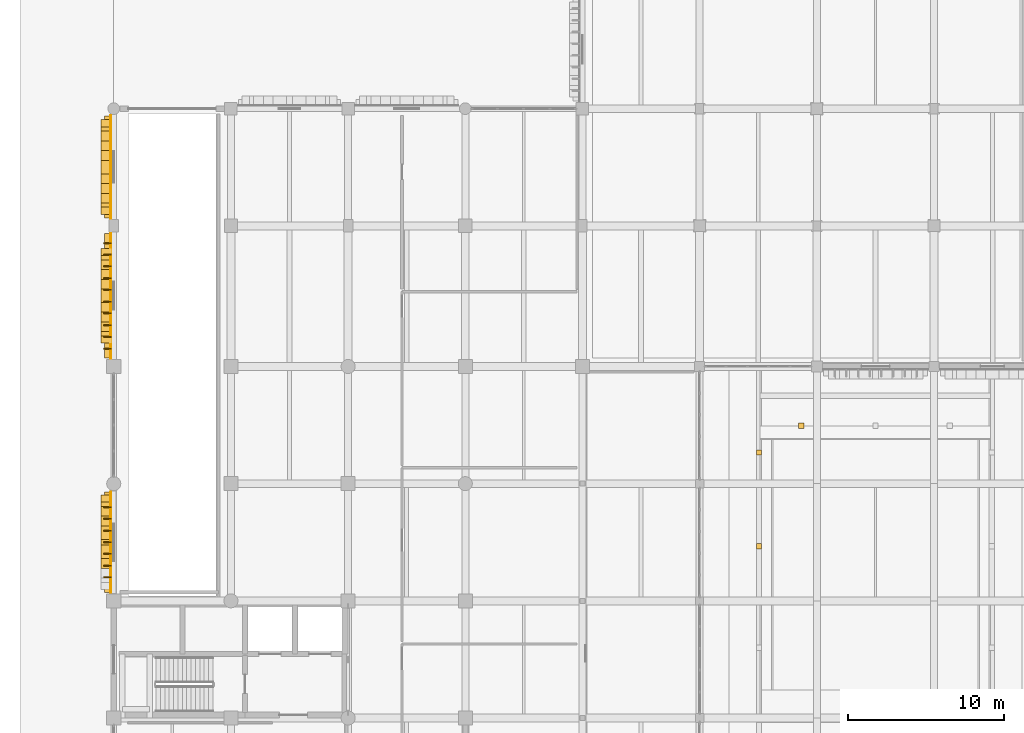
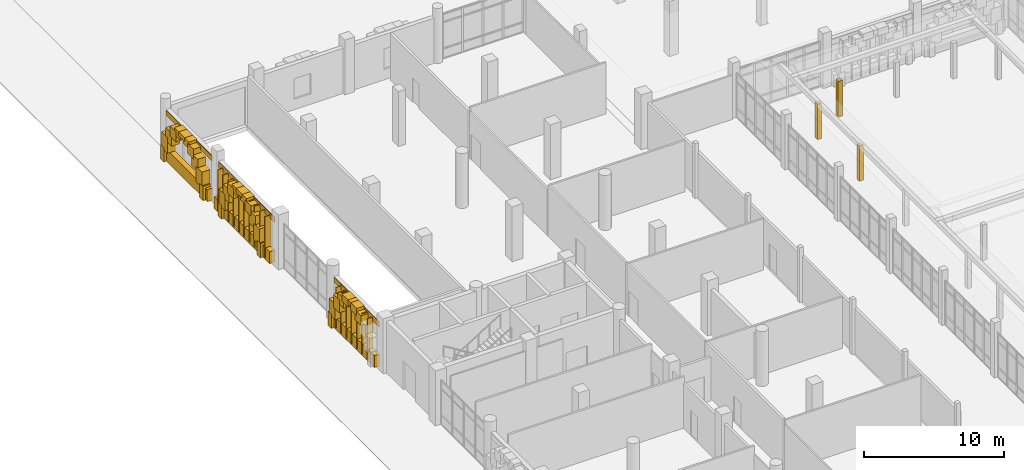
# One storey, part 110 of 125: 39 coverings, 17 shading devices.
"""IFC4 building model written with IfcOpenShell, lengths in metres."""

import ifcopenshell
import ifcopenshell.guid

model = None  # the IFC model being written
_history = None  # IfcOwnerHistory: only IFC2X3 demands one
_inside = {}  # id of a spatial element -> (the spatial element, [elements in it])
_under = {}  # id of a project, library or spatial element -> (it, [spatial elements below it])
_declared = {}  # id of a project -> (the project, [libraries it declares])
_typed = {}  # id of a type object -> (the type object, [elements of that type])
_made_of = {}  # id of a material, layer set ... -> (it, [elements and type objects made of it])


def new_model(schema):
    """Start an empty IFC model of exactly this schema.

    Asked for "IFC4X3", IfcOpenShell would pick the latest addendum, in which some entities
    have other attributes; the version numbers below select the first issue.
    IFC2X3 requires an IfcOwnerHistory on every rooted entity: one is made here for all.
    """
    global model, _history
    if schema == "IFC4X3":
        model = ifcopenshell.file(schema_version=(4, 3, 0, 0))
    else:
        model = ifcopenshell.file(schema=schema)
    _inside.clear()
    _under.clear()
    _declared.clear()
    _typed.clear()
    _made_of.clear()
    _history = None
    if model.schema == "IFC2X3":
        org = make("IfcOrganization", Name="unknown")
        user = make(
            "IfcPersonAndOrganization",
            ThePerson=make("IfcPerson", FamilyName="unknown"),
            TheOrganization=org,
        )
        app = make(
            "IfcApplication",
            ApplicationDeveloper=org,
            Version="unknown",
            ApplicationFullName="unknown",
            ApplicationIdentifier="unknown",
        )
        _history = make(
            "IfcOwnerHistory",
            OwningUser=user,
            OwningApplication=app,
            ChangeAction="ADDED",
            CreationDate=0,
        )
    return model


def make(cls, **values):
    """One entity of the class cls with the attributes given. An attribute that is None is left unset."""
    return model.create_entity(
        cls, **{name: value for name, value in values.items() if value is not None}
    )


def rooted(cls, **values):
    """An entity with a GlobalId (a new one), such as an element, a storey or a relation."""
    return make(cls, GlobalId=ifcopenshell.guid.new(), OwnerHistory=_history, **values)


def si_unit(unit_type, name, prefix=None):
    """IfcSIUnit, for example si_unit("LENGTHUNIT", "METRE", prefix="MILLI")."""
    return make("IfcSIUnit", UnitType=unit_type, Prefix=prefix, Name=name)


def assignment(units):
    """IfcUnitAssignment: the units of a project."""
    return None if units is None else make("IfcUnitAssignment", Units=units)


def point(xyz):
    """IfcCartesianPoint."""
    return None if xyz is None else make("IfcCartesianPoint", Coordinates=xyz)


def direction(xyz):
    """IfcDirection."""
    return None if xyz is None else make("IfcDirection", DirectionRatios=xyz)


def frame(location, z_axis=None, x_axis=None):
    """IfcAxis2Placement3D, a coordinate frame: its origin and axes. An axis left out is left unset."""
    return make(
        "IfcAxis2Placement3D",
        Location=point(location),
        Axis=direction(z_axis),
        RefDirection=direction(x_axis),
    )


def frame_2d(location, x_axis=None):
    """IfcAxis2Placement2D, a coordinate frame in the plane: its origin and x axis."""
    return make(
        "IfcAxis2Placement2D", Location=point(location), RefDirection=direction(x_axis)
    )


def origin():
    """The frame at (0, 0, 0) with its axes left unset."""
    return frame((0.0, 0.0, 0.0))


def origin_2d():
    """The frame at (0, 0) in the plane with its x axis left unset."""
    return frame_2d((0.0, 0.0))


def place(relative_to, where):
    """IfcLocalPlacement: puts the frame where relative to a parent placement (None: the world)."""
    return make(
        "IfcLocalPlacement", PlacementRelTo=relative_to, RelativePlacement=where
    )


def context(
    kind, dimensions, precision=None, world=None, true_north=None, identifier=None
):
    """IfcGeometricRepresentationContext, for example the 3D "Model" context."""
    return make(
        "IfcGeometricRepresentationContext",
        ContextIdentifier=identifier,
        ContextType=kind,
        CoordinateSpaceDimension=dimensions,
        Precision=precision,
        WorldCoordinateSystem=world,
        TrueNorth=true_north,
    )


def subcontext(parent, identifier, kind, view, scale=None):
    """IfcGeometricRepresentationSubContext, for example "Body" below "Model"."""
    return make(
        "IfcGeometricRepresentationSubContext",
        ContextIdentifier=identifier,
        ContextType=kind,
        ParentContext=parent,
        TargetScale=scale,
        TargetView=view,
    )


def project(units=None, contexts=None):
    """IfcProject with its units and contexts."""
    return rooted(
        "IfcProject",
        Name="project",
        RepresentationContexts=contexts,
        UnitsInContext=assignment(units),
    )


def spatial(cls, under=None, at=None, **own):
    """A site, building, storey or space (cls), placed at a placement, below another one or the project."""
    s = rooted(cls, ObjectPlacement=at, **own)
    if under is not None:
        _under.setdefault(under.id(), (under, []))[1].append(s)
    return s


def profile(cls, at=None, kind="AREA", **sizes):
    """A parametric profile (cls). Its sizes go by their IFC names, for example OverallWidth=200.0."""
    return make(cls, ProfileType=kind, Position=at, **sizes)


def rectangle(**sizes):
    """IfcRectangleProfileDef."""
    return profile("IfcRectangleProfileDef", **sizes)


def extrude(swept, where, along, depth):
    """IfcExtrudedAreaSolid: the profile swept, set in the frame where, extruded along a direction by depth."""
    return make(
        "IfcExtrudedAreaSolid",
        SweptArea=swept,
        Position=where,
        ExtrudedDirection=direction(along),
        Depth=depth,
    )


def shape(context_of_items, identifier, shape_type, items):
    """IfcShapeRepresentation: the items that make up one representation, for example the "Body"."""
    return make(
        "IfcShapeRepresentation",
        ContextOfItems=context_of_items,
        RepresentationIdentifier=identifier,
        RepresentationType=shape_type,
        Items=items,
    )


def material(Name=None, Category=None):
    """IfcMaterial."""
    return make("IfcMaterial", Name=Name, Category=Category)


def layer(
    of_material, thickness, ventilated=None, Name=None, Category=None, Priority=None
):
    """IfcMaterialLayer: one layer of a wall or slab, of a material (None: an air gap)."""
    return make(
        "IfcMaterialLayer",
        Material=of_material,
        LayerThickness=thickness,
        IsVentilated=ventilated,
        Name=Name,
        Category=Category,
        Priority=Priority,
    )


def layer_set(layers, Name=None):
    """IfcMaterialLayerSet."""
    return make("IfcMaterialLayerSet", MaterialLayers=layers, LayerSetName=Name)


def made_of(thing, what):
    """Note that an element or type object is made of a material, layer set ...; save() writes the relation."""
    if what is not None:
        _made_of.setdefault(what.id(), (what, []))[1].append(thing)
    return thing


def type_object(cls, material=None, **own):
    """A type object (cls), such as IfcWallType, which elements share."""
    return made_of(rooted(cls, **own), material)


def element(
    cls,
    number,
    at=None,
    inside=None,
    cuts=None,
    type_object=None,
    material=None,
    context=None,
    identifier="Body",
    shape_type=None,
    held_by="IfcProductDefinitionShape",
    body=None,
    shapes=None,
    **own,
):
    """One element of the class cls, such as IfcWall. Its Tag is "e" and its number.

    at: its placement. inside: the storey or other place that contains it. cuts: it is an
    opening in that element (IfcRelVoidsElement). A single representation is given by context,
    identifier, shape_type and body (its items); several are given by shapes. held_by: the class
    of the entity that holds the representations. save() writes the other relations.
    """
    e = rooted(cls, Tag="e%d" % number, ObjectPlacement=at, **own)
    if body is not None:
        shapes = [shape(context, identifier, shape_type, body)]
    if shapes is not None:
        e.Representation = make(held_by, Representations=shapes)
    if inside is not None:
        _inside.setdefault(inside.id(), (inside, []))[1].append(e)
    if cuts is not None:
        rooted(
            "IfcRelVoidsElement", RelatingBuildingElement=cuts, RelatedOpeningElement=e
        )
    if type_object is not None:
        _typed.setdefault(type_object.id(), (type_object, []))[1].append(e)
    return made_of(e, material)


def aggregate(whole, parts):
    """IfcRelAggregates: a whole, such as a stair, and the parts it consists of."""
    return rooted("IfcRelAggregates", RelatingObject=whole, RelatedObjects=parts)


def save(model, path):
    """Write the relations noted so far, then the file.

    IfcRelAggregates (storeys below a building ...), IfcRelContainedInSpatialStructure (elements
    in a storey), IfcRelDefinesByType, IfcRelAssociatesMaterial and IfcRelDeclares: one each for
    every whole, place, type object, material and project.
    """
    for whole, parts in _under.values():
        aggregate(whole, parts)
    for where, things in _inside.values():
        rooted(
            "IfcRelContainedInSpatialStructure",
            RelatedElements=things,
            RelatingStructure=where,
        )
    for kind, things in _typed.values():
        rooted("IfcRelDefinesByType", RelatedObjects=things, RelatingType=kind)
    for what, things in _made_of.values():
        rooted("IfcRelAssociatesMaterial", RelatedObjects=things, RelatingMaterial=what)
    for by, libraries in _declared.values():
        rooted("IfcRelDeclares", RelatingContext=by, RelatedDefinitions=libraries)
    model.write(path)


model = new_model("IFC4")

# Units and contexts
model_context = context("Model", 3, precision=1e-05, world=origin(), true_north=direction((0.0, 1.0)))
body_context = subcontext(model_context, "Body", "Model", "MODEL_VIEW")
ifc_project = project(units=[si_unit("LENGTHUNIT", "METRE"), si_unit("AREAUNIT", "SQUARE_METRE"), si_unit("VOLUMEUNIT", "CUBIC_METRE"), si_unit("PLANEANGLEUNIT", "RADIAN"), si_unit("MASSUNIT", "GRAM", prefix="KILO")], contexts=[model_context])

# Site, building, storey
site_placement = place(None, origin())
site = spatial("IfcSite", under=ifc_project, at=site_placement, CompositionType="ELEMENT")
building_placement = place(site_placement, origin())
building = spatial("IfcBuilding", under=site, at=building_placement, Name="Dalvernix Boulevard General Hospital", CompositionType="ELEMENT")
storey_placement = place(building_placement, origin())
storey = spatial("IfcBuildingStorey", under=building, at=storey_placement, Name="L00", CompositionType="ELEMENT", Elevation=0.0)

# Coverings
ifc_material_1 = material(Name="Pressed Catalan clay brick and dressed limestone parabolic archivolt", Category="masonry")
ifc_layer_1 = layer(ifc_material_1, 0.419921875)
ifc_layer_set_1 = layer_set([ifc_layer_1], Name="Pressed Catalan clay brick and dressed limestone parabolic archivolt (COV-ARC-01)")
covering_type_1 = type_object("IfcCoveringType", Name="COV-ARC-01", PredefinedType="CLADDING", material=ifc_layer_set_1)
covering_1_placement = place(storey_placement, frame((-0.485107421875, 68.050048828125, 0.0), z_axis=(0.0, 0.0, 1.0), x_axis=(0.0, 1.0, 0.0)))
element("IfcCovering", 1, at=covering_1_placement, inside=storey, type_object=covering_type_1, Name="L00 Catalan parabolic arch impost pier W 0-8-R", PredefinedType="CLADDING", context=body_context, shape_type="SweptSolid", body=[
    extrude(rectangle(XDim=0.4599609375, YDim=0.659912109375, at=origin_2d()), origin(), (0.0, 0.0, 1.0), 1.25),
])
covering_2_placement = place(storey_placement, frame((-0.485107421875, 64.005615234375, 2.80908203125), z_axis=(0.0, 0.0, 1.0), x_axis=(0.0, 1.0, 0.0)))
element("IfcCovering", 2, at=covering_2_placement, inside=storey, type_object=covering_type_1, Name="L00 Catalan parabolic archivolt voussoir W 0-8-3", PredefinedType="CLADDING", context=body_context, shape_type="SweptSolid", body=[
    extrude(rectangle(XDim=0.8623046875, YDim=0.659912109375, at=origin_2d()), origin(), (0.0, 0.0, 1.0), 0.8798828125),
])
covering_3_placement = place(storey_placement, frame((-0.485107421875, 64.627685546875, 3.308837890625), z_axis=(0.0, 0.0, 1.0), x_axis=(0.0, 1.0, 0.0)))
element("IfcCovering", 3, at=covering_3_placement, inside=storey, type_object=covering_type_1, Name="L00 Catalan parabolic archivolt voussoir W 0-8-4", PredefinedType="CLADDING", context=body_context, shape_type="SweptSolid", body=[
    extrude(rectangle(XDim=0.8623046875, YDim=0.659912109375, at=origin_2d()), origin(), (0.0, 0.0, 1.0), 0.6298828125),
])
covering_4_placement = place(storey_placement, frame((-0.485107421875, 65.25, 3.558837890625), z_axis=(0.0, 0.0, 1.0), x_axis=(0.0, 1.0, 0.0)))
element("IfcCovering", 4, at=covering_4_placement, inside=storey, type_object=covering_type_1, Name="L00 Catalan parabolic archivolt voussoir W 0-8-5", PredefinedType="CLADDING", context=body_context, shape_type="SweptSolid", body=[
    extrude(rectangle(XDim=0.8623046875, YDim=0.659912109375, at=origin_2d()), origin(), (0.0, 0.0, 1.0), 0.3798828125),
])
covering_5_placement = place(storey_placement, frame((-0.485107421875, 65.872314453125, 3.308837890625), z_axis=(0.0, 0.0, 1.0), x_axis=(0.0, 1.0, 0.0)))
element("IfcCovering", 5, at=covering_5_placement, inside=storey, type_object=covering_type_1, Name="L00 Catalan parabolic archivolt voussoir W 0-8-6", PredefinedType="CLADDING", context=body_context, shape_type="SweptSolid", body=[
    extrude(rectangle(XDim=0.8623046875, YDim=0.659912109375, at=origin_2d()), origin(), (0.0, 0.0, 1.0), 0.6298828125),
])
covering_6_placement = place(storey_placement, frame((-0.485107421875, 66.494384765625, 2.80908203125), z_axis=(0.0, 0.0, 1.0), x_axis=(0.0, 1.0, 0.0)))
element("IfcCovering", 6, at=covering_6_placement, inside=storey, type_object=covering_type_1, Name="L00 Catalan parabolic archivolt voussoir W 0-8-7", PredefinedType="CLADDING", context=body_context, shape_type="SweptSolid", body=[
    extrude(rectangle(XDim=0.8623046875, YDim=0.659912109375, at=origin_2d()), origin(), (0.0, 0.0, 1.0), 0.8798828125),
])
covering_7_placement = place(storey_placement, frame((-0.485107421875, 67.11669921875, 2.0595703125), z_axis=(0.0, 0.0, 1.0), x_axis=(0.0, 1.0, 0.0)))
element("IfcCovering", 7, at=covering_7_placement, inside=storey, type_object=covering_type_1, Name="L00 Catalan parabolic archivolt voussoir W 0-8-8", PredefinedType="CLADDING", context=body_context, shape_type="SweptSolid", body=[
    extrude(rectangle(XDim=0.8623046875, YDim=0.659912109375, at=origin_2d()), origin(), (0.0, 0.0, 1.0), 1.129638671875),
])
covering_8_placement = place(storey_placement, frame((-0.485107421875, 67.739013671875, 1.06005859375), z_axis=(0.0, 0.0, 1.0), x_axis=(0.0, 1.0, 0.0)))
element("IfcCovering", 8, at=covering_8_placement, inside=storey, type_object=covering_type_1, Name="L00 Catalan parabolic archivolt voussoir W 0-8-9", PredefinedType="CLADDING", context=body_context, shape_type="SweptSolid", body=[
    extrude(rectangle(XDim=0.8623046875, YDim=0.659912109375, at=origin_2d()), origin(), (0.0, 0.0, 1.0), 1.37939453125),
])
for number, where, z_axis, x_axis, name in (
    (9, (-0.485107421875, 78.22509765625, 0.0), (0.0, 0.0, 1.0), (0.0, 1.0, 0.0), "L00 Catalan parabolic arch impost pier W 0-10-L"),
    (10, (-0.485107421875, 83.824951171875, 0.0), (0.0, 0.0, 1.0), (0.0, 1.0, 0.0), "L00 Catalan parabolic arch impost pier W 0-10-R"),
):
    element("IfcCovering", number, at=place(storey_placement, frame(where, z_axis=z_axis, x_axis=x_axis)), inside=storey, type_object=covering_type_1, Name=name, PredefinedType="CLADDING", context=body_context, shape_type="SweptSolid", body=[
        extrude(rectangle(XDim=0.4599609375, YDim=0.659912109375, at=origin_2d()), origin(), (0.0, 0.0, 1.0), 1.25),
    ])
covering_9_placement = place(storey_placement, frame((-0.485107421875, 78.5361328125, 1.059814453125), z_axis=(0.0, 0.0, 1.0), x_axis=(0.0, 1.0, 0.0)))
element("IfcCovering", 11, at=covering_9_placement, inside=storey, type_object=covering_type_1, Name="L00 Catalan parabolic archivolt voussoir W 0-10-1", PredefinedType="CLADDING", context=body_context, shape_type="SweptSolid", body=[
    extrude(rectangle(XDim=0.8623046875, YDim=0.659912109375, at=origin_2d()), origin(), (0.0, 0.0, 1.0), 1.3994140625),
])
covering_10_placement = place(storey_placement, frame((-0.485107421875, 79.158203125, 2.07958984375), z_axis=(0.0, 0.0, 1.0), x_axis=(0.0, 1.0, 0.0)))
element("IfcCovering", 12, at=covering_10_placement, inside=storey, type_object=covering_type_1, Name="L00 Catalan parabolic archivolt voussoir W 0-10-2", PredefinedType="CLADDING", context=body_context, shape_type="SweptSolid", body=[
    extrude(rectangle(XDim=0.8623046875, YDim=0.659912109375, at=origin_2d()), origin(), (0.0, 0.0, 1.0), 1.144287109375),
])
covering_11_placement = place(storey_placement, frame((-0.485107421875, 79.780517578125, 2.84375), z_axis=(0.0, 0.0, 1.0), x_axis=(0.0, 1.0, 0.0)))
element("IfcCovering", 13, at=covering_11_placement, inside=storey, type_object=covering_type_1, Name="L00 Catalan parabolic archivolt voussoir W 0-10-3", PredefinedType="CLADDING", context=body_context, shape_type="SweptSolid", body=[
    extrude(rectangle(XDim=0.8623046875, YDim=0.659912109375, at=origin_2d()), origin(), (0.0, 0.0, 1.0), 0.8896484375),
])
covering_12_placement = place(storey_placement, frame((-0.485107421875, 80.40283203125, 3.353271484375), z_axis=(0.0, 0.0, 1.0), x_axis=(0.0, 1.0, 0.0)))
element("IfcCovering", 14, at=covering_12_placement, inside=storey, type_object=covering_type_1, Name="L00 Catalan parabolic archivolt voussoir W 0-10-4", PredefinedType="CLADDING", context=body_context, shape_type="SweptSolid", body=[
    extrude(rectangle(XDim=0.8623046875, YDim=0.659912109375, at=origin_2d()), origin(), (0.0, 0.0, 1.0), 0.634765625),
])
covering_13_placement = place(storey_placement, frame((-0.485107421875, 81.02490234375, 3.608154296875), z_axis=(0.0, 0.0, 1.0), x_axis=(0.0, 1.0, 0.0)))
element("IfcCovering", 15, at=covering_13_placement, inside=storey, type_object=covering_type_1, Name="L00 Catalan parabolic archivolt voussoir W 0-10-5", PredefinedType="CLADDING", context=body_context, shape_type="SweptSolid", body=[
    extrude(rectangle(XDim=0.8623046875, YDim=0.659912109375, at=origin_2d()), origin(), (0.0, 0.0, 1.0), 0.3798828125),
])
covering_14_placement = place(storey_placement, frame((-0.485107421875, 81.647216796875, 3.353271484375), z_axis=(0.0, 0.0, 1.0), x_axis=(0.0, 1.0, 0.0)))
element("IfcCovering", 16, at=covering_14_placement, inside=storey, type_object=covering_type_1, Name="L00 Catalan parabolic archivolt voussoir W 0-10-6", PredefinedType="CLADDING", context=body_context, shape_type="SweptSolid", body=[
    extrude(rectangle(XDim=0.8623046875, YDim=0.659912109375, at=origin_2d()), origin(), (0.0, 0.0, 1.0), 0.634765625),
])
covering_15_placement = place(storey_placement, frame((-0.485107421875, 82.269287109375, 2.84375), z_axis=(0.0, 0.0, 1.0), x_axis=(0.0, 1.0, 0.0)))
element("IfcCovering", 17, at=covering_15_placement, inside=storey, type_object=covering_type_1, Name="L00 Catalan parabolic archivolt voussoir W 0-10-7", PredefinedType="CLADDING", context=body_context, shape_type="SweptSolid", body=[
    extrude(rectangle(XDim=0.8623046875, YDim=0.659912109375, at=origin_2d()), origin(), (0.0, 0.0, 1.0), 0.8896484375),
])
covering_16_placement = place(storey_placement, frame((-0.485107421875, 82.8916015625, 2.07958984375), z_axis=(0.0, 0.0, 1.0), x_axis=(0.0, 1.0, 0.0)))
element("IfcCovering", 18, at=covering_16_placement, inside=storey, type_object=covering_type_1, Name="L00 Catalan parabolic archivolt voussoir W 0-10-8", PredefinedType="CLADDING", context=body_context, shape_type="SweptSolid", body=[
    extrude(rectangle(XDim=0.8623046875, YDim=0.659912109375, at=origin_2d()), origin(), (0.0, 0.0, 1.0), 1.144287109375),
])
covering_17_placement = place(storey_placement, frame((-0.485107421875, 83.513916015625, 1.059814453125), z_axis=(0.0, 0.0, 1.0), x_axis=(0.0, 1.0, 0.0)))
element("IfcCovering", 19, at=covering_17_placement, inside=storey, type_object=covering_type_1, Name="L00 Catalan parabolic archivolt voussoir W 0-10-9", PredefinedType="CLADDING", context=body_context, shape_type="SweptSolid", body=[
    extrude(rectangle(XDim=0.8623046875, YDim=0.659912109375, at=origin_2d()), origin(), (0.0, 0.0, 1.0), 1.3994140625),
])
for number, where, z_axis, x_axis, name in (
    (20, (-0.485107421875, 86.46240234375, 0.0), (0.0, 0.0, 1.0), (0.0, 1.0, 0.0), "L00 Catalan parabolic arch impost pier W 0-11-L"),
    (21, (-0.485107421875, 92.0625, 0.0), (0.0, 0.0, 1.0), (0.0, 1.0, 0.0), "L00 Catalan parabolic arch impost pier W 0-11-R"),
):
    element("IfcCovering", number, at=place(storey_placement, frame(where, z_axis=z_axis, x_axis=x_axis)), inside=storey, type_object=covering_type_1, Name=name, PredefinedType="CLADDING", context=body_context, shape_type="SweptSolid", body=[
        extrude(rectangle(XDim=0.4599609375, YDim=0.659912109375, at=origin_2d()), origin(), (0.0, 0.0, 1.0), 1.25),
    ])
covering_18_placement = place(storey_placement, frame((-0.485107421875, 86.773681640625, 1.06005859375), z_axis=(0.0, 0.0, 1.0), x_axis=(0.0, 1.0, 0.0)))
element("IfcCovering", 22, at=covering_18_placement, inside=storey, type_object=covering_type_1, Name="L00 Catalan parabolic archivolt voussoir W 0-11-1", PredefinedType="CLADDING", context=body_context, shape_type="SweptSolid", body=[
    extrude(rectangle(XDim=0.8623046875, YDim=0.659912109375, at=origin_2d()), origin(), (0.0, 0.0, 1.0), 1.37939453125),
])
covering_19_placement = place(storey_placement, frame((-0.485107421875, 87.395751953125, 2.0595703125), z_axis=(0.0, 0.0, 1.0), x_axis=(0.0, 1.0, 0.0)))
element("IfcCovering", 23, at=covering_19_placement, inside=storey, type_object=covering_type_1, Name="L00 Catalan parabolic archivolt voussoir W 0-11-2", PredefinedType="CLADDING", context=body_context, shape_type="SweptSolid", body=[
    extrude(rectangle(XDim=0.8623046875, YDim=0.659912109375, at=origin_2d()), origin(), (0.0, 0.0, 1.0), 1.129638671875),
])
covering_20_placement = place(storey_placement, frame((-0.485107421875, 88.01806640625, 2.80908203125), z_axis=(0.0, 0.0, 1.0), x_axis=(0.0, 1.0, 0.0)))
element("IfcCovering", 24, at=covering_20_placement, inside=storey, type_object=covering_type_1, Name="L00 Catalan parabolic archivolt voussoir W 0-11-3", PredefinedType="CLADDING", context=body_context, shape_type="SweptSolid", body=[
    extrude(rectangle(XDim=0.8623046875, YDim=0.659912109375, at=origin_2d()), origin(), (0.0, 0.0, 1.0), 0.8798828125),
])
covering_21_placement = place(storey_placement, frame((-0.485107421875, 88.640380859375, 3.308837890625), z_axis=(0.0, 0.0, 1.0), x_axis=(0.0, 1.0, 0.0)))
element("IfcCovering", 25, at=covering_21_placement, inside=storey, type_object=covering_type_1, Name="L00 Catalan parabolic archivolt voussoir W 0-11-4", PredefinedType="CLADDING", context=body_context, shape_type="SweptSolid", body=[
    extrude(rectangle(XDim=0.8623046875, YDim=0.659912109375, at=origin_2d()), origin(), (0.0, 0.0, 1.0), 0.6298828125),
])
covering_22_placement = place(storey_placement, frame((-0.485107421875, 89.262451171875, 3.558837890625), z_axis=(0.0, 0.0, 1.0), x_axis=(0.0, 1.0, 0.0)))
element("IfcCovering", 26, at=covering_22_placement, inside=storey, type_object=covering_type_1, Name="L00 Catalan parabolic archivolt voussoir W 0-11-5", PredefinedType="CLADDING", context=body_context, shape_type="SweptSolid", body=[
    extrude(rectangle(XDim=0.8623046875, YDim=0.659912109375, at=origin_2d()), origin(), (0.0, 0.0, 1.0), 0.3798828125),
])
covering_23_placement = place(storey_placement, frame((-0.485107421875, 89.884765625, 3.308837890625), z_axis=(0.0, 0.0, 1.0), x_axis=(0.0, 1.0, 0.0)))
element("IfcCovering", 27, at=covering_23_placement, inside=storey, type_object=covering_type_1, Name="L00 Catalan parabolic archivolt voussoir W 0-11-6", PredefinedType="CLADDING", context=body_context, shape_type="SweptSolid", body=[
    extrude(rectangle(XDim=0.8623046875, YDim=0.659912109375, at=origin_2d()), origin(), (0.0, 0.0, 1.0), 0.6298828125),
])
covering_24_placement = place(storey_placement, frame((-0.485107421875, 90.5068359375, 2.80908203125), z_axis=(0.0, 0.0, 1.0), x_axis=(0.0, 1.0, 0.0)))
element("IfcCovering", 28, at=covering_24_placement, inside=storey, type_object=covering_type_1, Name="L00 Catalan parabolic archivolt voussoir W 0-11-7", PredefinedType="CLADDING", context=body_context, shape_type="SweptSolid", body=[
    extrude(rectangle(XDim=0.8623046875, YDim=0.659912109375, at=origin_2d()), origin(), (0.0, 0.0, 1.0), 0.8798828125),
])
covering_25_placement = place(storey_placement, frame((-0.485107421875, 91.129150390625, 2.0595703125), z_axis=(0.0, 0.0, 1.0), x_axis=(0.0, 1.0, 0.0)))
element("IfcCovering", 29, at=covering_25_placement, inside=storey, type_object=covering_type_1, Name="L00 Catalan parabolic archivolt voussoir W 0-11-8", PredefinedType="CLADDING", context=body_context, shape_type="SweptSolid", body=[
    extrude(rectangle(XDim=0.8623046875, YDim=0.659912109375, at=origin_2d()), origin(), (0.0, 0.0, 1.0), 1.129638671875),
])
covering_26_placement = place(storey_placement, frame((-0.485107421875, 91.75146484375, 1.06005859375), z_axis=(0.0, 0.0, 1.0), x_axis=(0.0, 1.0, 0.0)))
element("IfcCovering", 30, at=covering_26_placement, inside=storey, type_object=covering_type_1, Name="L00 Catalan parabolic archivolt voussoir W 0-11-9", PredefinedType="CLADDING", context=body_context, shape_type="SweptSolid", body=[
    extrude(rectangle(XDim=0.8623046875, YDim=0.659912109375, at=origin_2d()), origin(), (0.0, 0.0, 1.0), 1.37939453125),
])
ifc_material_2 = material(Name="Polychrome Catalan glazed ceramic spandrel tile panel")
ifc_layer_2 = layer(ifc_material_2, 0.044921875)
ifc_layer_set_2 = layer_set([ifc_layer_2], Name="Polychrome Catalan glazed ceramic spandrel tile panel (COV-CLD-01)")
covering_type_2 = type_object("IfcCoveringType", Name="COV-CLD-01", PredefinedType="CLADDING", material=ifc_layer_set_2)
covering_27_placement = place(storey_placement, frame((-0.195068359375, 65.25, 3.4248046875), z_axis=(0.0, 0.0, 1.0), x_axis=(0.0, 1.0, 0.0)))
element("IfcCovering", 31, at=covering_27_placement, inside=storey, type_object=covering_type_2, Name="L00 polychrome ceramic spandrel W 0-8", PredefinedType="CLADDING", context=body_context, shape_type="SweptSolid", body=[
    extrude(rectangle(XDim=6.47998046875, YDim=0.044921875, at=origin_2d()), origin(), (0.0, 0.0, 1.0), 0.449951171875),
])
covering_28_placement = place(storey_placement, frame((-0.195068359375, 81.02490234375, 3.47509765625), z_axis=(0.0, 0.0, 1.0), x_axis=(0.0, 1.0, 0.0)))
element("IfcCovering", 32, at=covering_28_placement, inside=storey, type_object=covering_type_2, Name="L00 polychrome ceramic spandrel W 0-10", PredefinedType="CLADDING", context=body_context, shape_type="SweptSolid", body=[
    extrude(rectangle(XDim=8.030029296875, YDim=0.044921875, at=origin_2d()), origin(), (0.0, 0.0, 1.0), 0.449951171875),
])
covering_29_placement = place(storey_placement, frame((-0.195068359375, 89.262451171875, 3.4248046875), z_axis=(0.0, 0.0, 1.0), x_axis=(0.0, 1.0, 0.0)))
element("IfcCovering", 33, at=covering_29_placement, inside=storey, type_object=covering_type_2, Name="L00 polychrome ceramic spandrel W 0-11", PredefinedType="CLADDING", context=body_context, shape_type="SweptSolid", body=[
    extrude(rectangle(XDim=6.60498046875, YDim=0.044921875, at=origin_2d()), origin(), (0.0, 0.0, 1.0), 0.449951171875),
])
ifc_material_3 = material(Name="Dressed ochre limestone classical plinth, stringcourse and corbelled cornice", Category="masonry")
ifc_layer_3 = layer(ifc_material_3, 0.449951171875)
ifc_layer_set_3 = layer_set([ifc_layer_3], Name="Dressed ochre limestone classical plinth, stringcourse and corbelled cornice (COV-CRN-01)")
covering_type_3 = type_object("IfcCoveringType", Name="COV-CRN-01", PredefinedType="CLADDING", material=ifc_layer_set_3)
covering_30_placement = place(storey_placement, frame((-0.375, 65.25, 0.0), z_axis=(0.0, 0.0, 1.0), x_axis=(0.0, 1.0, 0.0)))
element("IfcCovering", 34, at=covering_30_placement, inside=storey, type_object=covering_type_3, Name="L00 rusticated limestone classical plinth W 0-8", PredefinedType="CLADDING", context=body_context, shape_type="SweptSolid", body=[
    extrude(rectangle(XDim=6.419921875, YDim=0.43994140625, at=origin_2d()), origin(), (0.0, 0.0, 1.0), 1.0400390625),
])
covering_31_placement = place(storey_placement, frame((-0.375, 81.02490234375, 0.0), z_axis=(0.0, 0.0, 1.0), x_axis=(0.0, 1.0, 0.0)))
element("IfcCovering", 35, at=covering_31_placement, inside=storey, type_object=covering_type_3, Name="L00 rusticated limestone classical plinth W 0-10", PredefinedType="CLADDING", context=body_context, shape_type="SweptSolid", body=[
    extrude(rectangle(XDim=7.969970703125, YDim=0.43994140625, at=origin_2d()), origin(), (0.0, 0.0, 1.0), 1.0400390625),
])
covering_32_placement = place(storey_placement, frame((-0.375, 89.262451171875, 0.0), z_axis=(0.0, 0.0, 1.0), x_axis=(0.0, 1.0, 0.0)))
element("IfcCovering", 36, at=covering_32_placement, inside=storey, type_object=covering_type_3, Name="L00 rusticated limestone classical plinth W 0-11", PredefinedType="CLADDING", context=body_context, shape_type="SweptSolid", body=[
    extrude(rectangle(XDim=6.544921875, YDim=0.43994140625, at=origin_2d()), origin(), (0.0, 0.0, 1.0), 1.0400390625),
])
ifc_material_4 = material(Name="Preservative-treated glulam GL28h cloister walkway post, beam and roof", Category="wood")
ifc_layer_4 = layer(ifc_material_4, 0.340087890625)
ifc_layer_set_4 = layer_set([ifc_layer_4], Name="Preservative-treated glulam GL28h cloister walkway post, beam and roof (COV-WKP-01)")
covering_type_4 = type_object("IfcCoveringType", Name="COV-WKP-01", PredefinedType="CLADDING", material=ifc_layer_set_4)
for number, where, z_axis, x_axis, name in (
    (37, (41.300048828125, 65.0, 0.0), (0.0, 0.0, 1.0), (1.0, 0.0, 0.0), "WCOURT covered timber walkway post W-5"),
    (38, (41.300048828125, 71.0, 0.0), (0.0, 0.0, 1.0), (1.0, 0.0, 0.0), "WCOURT covered timber walkway post W-6"),
    (39, (44.0, 72.699951171875, 0.0), (0.0, 0.0, 1.0), (1.0, 0.0, 0.0), "WCOURT covered timber walkway post N-1"),
):
    element("IfcCovering", number, at=place(storey_placement, frame(where, z_axis=z_axis, x_axis=x_axis)), inside=storey, type_object=covering_type_4, Name=name, PredefinedType="CLADDING", context=body_context, shape_type="SweptSolid", body=[
        extrude(rectangle(XDim=0.340087890625, YDim=0.340087890625, at=origin_2d()), origin(), (0.0, 0.0, 1.0), 3.10009765625),
    ])

# Shading devices
ifc_material_5 = material(Name="Preservative-treated West African iroko timber", Category="wood")
shading_device_type = type_object("IfcShadingDeviceType", Name="SHD-FIN-01", PredefinedType="USERDEFINED", material=ifc_material_5)
for number, where, z_axis, x_axis, name in (
    (40, (-0.405029296875, 63.0, 0.1748046875), (0.0, 0.0, 1.0), (0.0, 1.0, 0.0), "L00 iroko brise-soleil fin 1"),
    (41, (-0.405029296875, 63.75, 0.1748046875), (0.0, 0.0, 1.0), (0.0, 1.0, 0.0), "L00 iroko brise-soleil fin 2"),
    (42, (-0.405029296875, 64.5, 0.1748046875), (0.0, 0.0, 1.0), (0.0, 1.0, 0.0), "L00 iroko brise-soleil fin 3"),
    (43, (-0.405029296875, 65.25, 0.1748046875), (0.0, 0.0, 1.0), (0.0, 1.0, 0.0), "L00 iroko brise-soleil fin 4"),
    (44, (-0.405029296875, 66.0, 0.1748046875), (0.0, 0.0, 1.0), (0.0, 1.0, 0.0), "L00 iroko brise-soleil fin 5"),
    (45, (-0.405029296875, 66.75, 0.1748046875), (0.0, 0.0, 1.0), (0.0, 1.0, 0.0), "L00 iroko brise-soleil fin 6"),
    (46, (-0.405029296875, 67.5, 0.1748046875), (0.0, 0.0, 1.0), (0.0, 1.0, 0.0), "L00 iroko brise-soleil fin 7"),
):
    element("IfcShadingDevice", number, at=place(storey_placement, frame(where, z_axis=z_axis, x_axis=x_axis)), inside=storey, type_object=shading_device_type, Name=name, ObjectType="FIN", PredefinedType="USERDEFINED", context=body_context, shape_type="SweptSolid", body=[
        extrude(rectangle(XDim=0.06494140625, YDim=0.47998046875, at=origin_2d()), origin(), (0.0, 0.0, 1.0), 3.550048828125),
    ])
for number, where, z_axis, x_axis, name in (
    (47, (-0.405029296875, 77.64990234375, 0.175048828125), (0.0, 0.0, 1.0), (0.0, 1.0, 0.0), "L00 iroko brise-soleil fin 1"),
    (48, (-0.405029296875, 78.39990234375, 0.175048828125), (0.0, 0.0, 1.0), (0.0, 1.0, 0.0), "L00 iroko brise-soleil fin 2"),
    (49, (-0.405029296875, 79.14990234375, 0.175048828125), (0.0, 0.0, 1.0), (0.0, 1.0, 0.0), "L00 iroko brise-soleil fin 3"),
    (50, (-0.405029296875, 79.89990234375, 0.175048828125), (0.0, 0.0, 1.0), (0.0, 1.0, 0.0), "L00 iroko brise-soleil fin 4"),
    (51, (-0.405029296875, 80.64990234375, 0.175048828125), (0.0, 0.0, 1.0), (0.0, 1.0, 0.0), "L00 iroko brise-soleil fin 5"),
    (52, (-0.405029296875, 81.39990234375, 0.175048828125), (0.0, 0.0, 1.0), (0.0, 1.0, 0.0), "L00 iroko brise-soleil fin 6"),
    (53, (-0.405029296875, 82.14990234375, 0.175048828125), (0.0, 0.0, 1.0), (0.0, 1.0, 0.0), "L00 iroko brise-soleil fin 7"),
    (54, (-0.405029296875, 82.89990234375, 0.175048828125), (0.0, 0.0, 1.0), (0.0, 1.0, 0.0), "L00 iroko brise-soleil fin 8"),
    (55, (-0.405029296875, 83.64990234375, 0.175048828125), (0.0, 0.0, 1.0), (0.0, 1.0, 0.0), "L00 iroko brise-soleil fin 9"),
    (56, (-0.405029296875, 84.39990234375, 0.175048828125), (0.0, 0.0, 1.0), (0.0, 1.0, 0.0), "L00 iroko brise-soleil fin 10"),
):
    element("IfcShadingDevice", number, at=place(storey_placement, frame(where, z_axis=z_axis, x_axis=x_axis)), inside=storey, type_object=shading_device_type, Name=name, ObjectType="FIN", PredefinedType="USERDEFINED", context=body_context, shape_type="SweptSolid", body=[
        extrude(rectangle(XDim=0.06494140625, YDim=0.47998046875, at=origin_2d()), origin(), (0.0, 0.0, 1.0), 3.60009765625),
    ])

save(model, "model.ifc")
